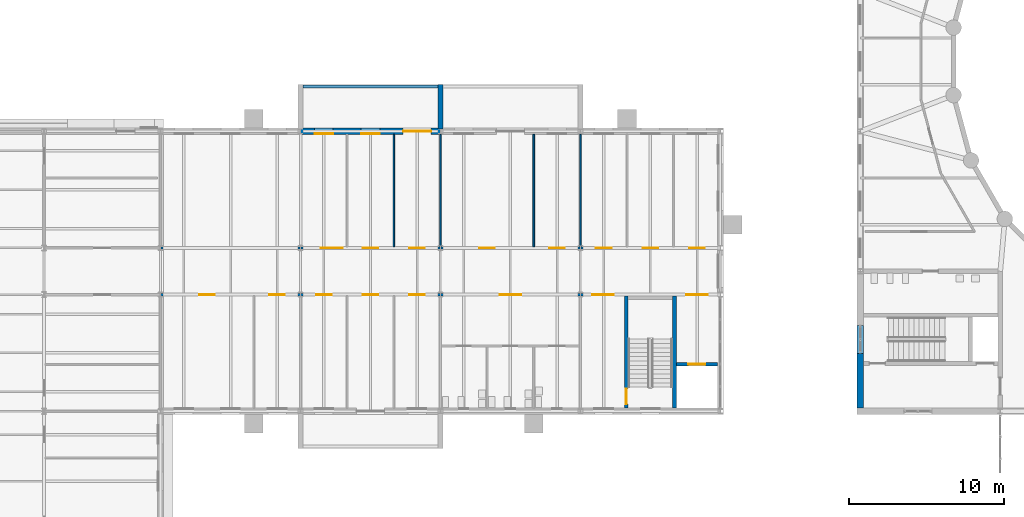
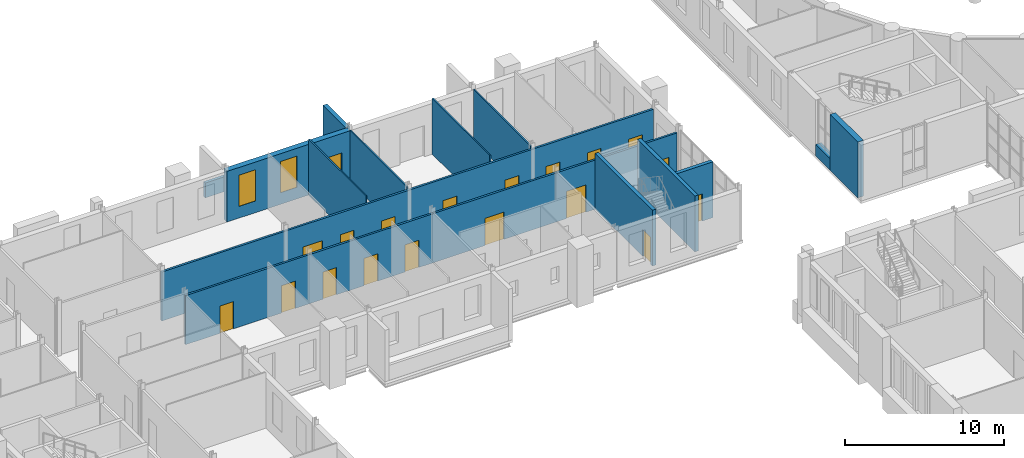
# One storey, part 81 of 134: 19 doors, 14 walls, 2 windows, 21 openings.
"""IFC4 building model written with IfcOpenShell, lengths in metres."""

from ifc_helpers import new_model, si_unit, direction, frame, frame_2d, origin, place, context, subcontext, project, spatial, rectangle, extrude, material, layer, layer_set, type_object, element, fill, save


model = new_model("IFC4")

# Units and contexts
model_context = context("Model", 3, precision=1e-05, world=origin(), true_north=direction((0.0, 1.0)))
body_context = subcontext(model_context, "Body", "Model", "MODEL_VIEW")
ifc_project = project(units=[si_unit("LENGTHUNIT", "METRE"), si_unit("AREAUNIT", "SQUARE_METRE"), si_unit("VOLUMEUNIT", "CUBIC_METRE"), si_unit("PLANEANGLEUNIT", "RADIAN"), si_unit("MASSUNIT", "GRAM", prefix="KILO")], contexts=[model_context])

# Site, building, storey
site_placement = place(None, origin())
site = spatial("IfcSite", under=ifc_project, at=site_placement, CompositionType="ELEMENT")
building_placement = place(site_placement, origin())
building = spatial("IfcBuilding", under=site, at=building_placement, Name="Golden Quay Civic Hall", CompositionType="ELEMENT")
storey_placement = place(building_placement, frame((0.0, 0.0, 5.39990234375)))
storey = spatial("IfcBuildingStorey", under=building, at=storey_placement, Name="L01", CompositionType="ELEMENT", Elevation=5.39990234375)

# Wall
ifc_material_1 = material(Name="Brick, dark clay facing", Category="masonry")
ifc_layer_1 = layer(ifc_material_1, 0.199951171875)
ifc_layer_set_1 = layer_set([ifc_layer_1], Name="Brick balustrade wall 200")
wall_type_1 = type_object("IfcWallType", Name="Brick balustrade wall 200", PredefinedType="STANDARD", material=ifc_layer_set_1)
wall_1_placement = place(storey_placement, frame((27.14990234375, 83.8798828125, 0.0), z_axis=(0.0, 0.0, 1.0), x_axis=(1.0, 0.0, 0.0)))
element("IfcWall", 1, at=wall_1_placement, inside=storey, type_object=wall_type_1, Name="Brick balustrade wall 200 L01 2", PredefinedType="STANDARD", context=body_context, shape_type="SweptSolid", body=[
    extrude(rectangle(XDim=8.7001953125, YDim=0.199951171875, at=frame_2d((4.35009765625, 0.0))), origin(), (0.0, 0.0, 1.0), 1.150146484375),
])

# Wall, openings, door, windows
ifc_material_2 = material(Name="Brick, dark clay facing", Category="masonry")
ifc_layer_2 = layer(ifc_material_2, 0.39990234375)
ifc_layer_set_2 = layer_set([ifc_layer_2], Name="Brick external wall 400")
wall_type_2 = type_object("IfcWallType", Name="Brick external wall 400", PredefinedType="STANDARD", material=ifc_layer_set_2)
wall_2_placement = place(storey_placement, frame((27.00927734375, 81.0, 0.0), z_axis=(0.0, 0.0, 1.0), x_axis=(1.0, 0.0, 0.0)))
wall_2 = element("IfcWall", 2, at=wall_2_placement, inside=storey, type_object=wall_type_2, Name="Brick external wall 400 L01 3", PredefinedType="STANDARD", context=body_context, shape_type="SweptSolid", body=[
    extrude(rectangle(XDim=8.9814453125, YDim=0.39990234375, at=frame_2d((4.49072265625, 0.0))), origin(), (0.0, 0.0, 1.0), 3.900146484375),
])
opening_1_placement = place(wall_2_placement, frame((6.5908203125, 0.0, 0.0)))
opening_1 = element("IfcOpeningElement", 3, at=opening_1_placement, cuts=wall_2, Name="Opening L01-D002", PredefinedType="OPENING", context=body_context, shape_type="SweptSolid", body=[
    extrude(rectangle(XDim=1.800048828125, YDim=2.39990234375, at=frame_2d((0.89990234375, 1.199951171875))), frame((0.0, 0.2099609375, 0.0), z_axis=(0.0, -1.0, 0.0), x_axis=(1.0, 0.0, 0.0)), (0.0, 0.0, 1.0), 0.419921875),
])
opening_2_placement = place(wall_2_placement, frame((0.890869140625, 0.0, 0.89990234375)))
opening_2 = element("IfcOpeningElement", 4, at=opening_2_placement, cuts=wall_2, Name="Opening WN7", PredefinedType="OPENING", context=body_context, shape_type="SweptSolid", body=[
    extrude(rectangle(XDim=1.199951171875, YDim=2.39990234375, at=frame_2d((0.60009765625, 1.199951171875))), frame((0.0, 0.2099609375, 0.0), z_axis=(0.0, -1.0, 0.0), x_axis=(1.0, 0.0, 0.0)), (0.0, 0.0, 1.0), 0.419921875),
])
opening_3_placement = place(wall_2_placement, frame((3.890869140625, 0.0, 0.89990234375)))
opening_3 = element("IfcOpeningElement", 5, at=opening_3_placement, cuts=wall_2, Name="Opening WN7", PredefinedType="OPENING", context=body_context, shape_type="SweptSolid", body=[
    extrude(rectangle(XDim=1.199951171875, YDim=2.39990234375, at=frame_2d((0.60009765625, 1.199951171875))), frame((0.0, 0.2099609375, 0.0), z_axis=(0.0, -1.0, 0.0), x_axis=(1.0, 0.0, 0.0)), (0.0, 0.0, 1.0), 0.419921875),
])
ifc_material_3 = material(Name="Aluminium frame, glazed", Category="aluminium")
door_type_1 = type_object("IfcDoorType", Name="Glazed double terrace door 1800 x 2400", OperationType="DOUBLE_DOOR_SINGLE_SWING", PredefinedType="DOOR", material=ifc_material_3)
door_1_placement = place(opening_1_placement, origin())
door_1 = element("IfcDoor", 6, at=door_1_placement, inside=storey, type_object=door_type_1, Name="Door L01-D002", OperationType="DOUBLE_DOOR_SINGLE_SWING", OverallHeight=2.39990234375, OverallWidth=1.800048828125, PredefinedType="DOOR", context=body_context, shape_type="SweptSolid", body=[
    extrude(rectangle(XDim=1.800048828125, YDim=2.39990234375, at=frame_2d((0.89990234375, 1.199951171875))), frame((0.0, 0.02490234375, 0.0), z_axis=(0.0, -1.0, 0.0), x_axis=(1.0, 0.0, 0.0)), (0.0, 0.0, 1.0), 0.050048828125),
])
fill(opening_1, door_1)
ifc_material_4 = material(Name="Aluminium frame, double glazed", Category="aluminium")
window_type = type_object("IfcWindowType", Name="Window 1200 x 2400", PartitioningType="SINGLE_PANEL", PredefinedType="WINDOW", material=ifc_material_4)
window_1_placement = place(opening_2_placement, origin())
window_1 = element("IfcWindow", 7, at=window_1_placement, inside=storey, type_object=window_type, Name="Window 1200 x 2400 L01 7", OverallHeight=2.39990234375, OverallWidth=1.199951171875, PartitioningType="SINGLE_PANEL", PredefinedType="WINDOW", context=body_context, shape_type="SweptSolid", body=[
    extrude(rectangle(XDim=1.199951171875, YDim=2.39990234375, at=frame_2d((0.60009765625, 1.199951171875))), frame((0.0, -0.119873046875, 0.0), z_axis=(0.0, -1.0, 0.0), x_axis=(1.0, 0.0, 0.0)), (0.0, 0.0, 1.0), 0.06005859375),
])
fill(opening_2, window_1)
window_2_placement = place(opening_3_placement, origin())
window_2 = element("IfcWindow", 8, at=window_2_placement, inside=storey, type_object=window_type, Name="Window 1200 x 2400 L01 8", OverallHeight=2.39990234375, OverallWidth=1.199951171875, PartitioningType="SINGLE_PANEL", PredefinedType="WINDOW", context=body_context, shape_type="SweptSolid", body=[
    extrude(rectangle(XDim=1.199951171875, YDim=2.39990234375, at=frame_2d((0.60009765625, 1.199951171875))), frame((0.0, -0.119873046875, 0.0), z_axis=(0.0, -1.0, 0.0), x_axis=(1.0, 0.0, 0.0)), (0.0, 0.0, 1.0), 0.06005859375),
])
fill(opening_3, window_2)

# Wall
ifc_material_5 = material(Name="Brick, dark clay facing", Category="masonry")
ifc_layer_3 = layer(ifc_material_5, 0.300048828125)
ifc_layer_set_3 = layer_set([ifc_layer_3], Name="Brick loggia wall 300")
wall_type_3 = type_object("IfcWallType", Name="Brick loggia wall 300", PredefinedType="STANDARD", material=ifc_layer_set_3)
wall_3_placement = place(storey_placement, frame((36.0, 81.14501953125, 0.0), z_axis=(0.0, 0.0, 1.0), x_axis=(0.0, 1.0, 0.0)))
element("IfcWall", 9, at=wall_3_placement, inside=storey, type_object=wall_type_3, Name="Brick loggia wall 300 L01 4", PredefinedType="STANDARD", context=body_context, shape_type="SweptSolid", body=[
    extrude(rectangle(XDim=2.85498046875, YDim=0.300048828125, at=frame_2d((1.427490234375, 0.0))), origin(), (0.0, 0.0, 1.0), 3.97021484375),
])

# Wall, opening, door
ifc_material_6 = material(Name="Concrete C40/50", Category="concrete")
ifc_layer_4 = layer(ifc_material_6, 0.25)
ifc_layer_set_4 = layer_set([ifc_layer_4], Name="Concrete core wall 250, Concrete C40/50")
wall_type_4 = type_object("IfcWallType", Name="Concrete core wall 250", PredefinedType="SHEAR", material=ifc_layer_set_4)
wall_4_placement = place(storey_placement, frame((47.949951171875, 63.199951171875, 0.0), z_axis=(0.0, 0.0, 1.0), x_axis=(0.0, 1.0, 0.0)))
wall_4 = element("IfcWall", 10, at=wall_4_placement, inside=storey, type_object=wall_type_4, Name="Core wall NW-E-W1", PredefinedType="SHEAR", context=body_context, shape_type="SweptSolid", body=[
    extrude(rectangle(XDim=7.22509765625, YDim=0.25, at=frame_2d((3.612548828125, 0.0))), origin(), (0.0, 0.0, 1.0), 4.300048828125),
])
opening_4_placement = place(wall_4_placement, frame((0.25, 0.0, 0.0)))
opening_4 = element("IfcOpeningElement", 11, at=opening_4_placement, cuts=wall_4, Name="Opening L01-D087", PredefinedType="OPENING", context=body_context, shape_type="SweptSolid", body=[
    extrude(rectangle(XDim=1.0, YDim=2.10009765625, at=frame_2d((0.5, 1.050048828125))), frame((0.0, 0.135009765625, 0.0), z_axis=(0.0, -1.0, 0.0), x_axis=(1.0, 0.0, 0.0)), (0.0, 0.0, 1.0), 0.27001953125),
])
ifc_material_7 = material(Name="Steel", Category="steel")
door_type_2 = type_object("IfcDoorType", Name="Steel fire door FD60 1000 x 2100", OperationType="SINGLE_SWING_LEFT", PredefinedType="DOOR", material=ifc_material_7)
door_2_placement = place(opening_4_placement, frame((1.0, 0.0, 0.0), z_axis=(0.0, 0.0, 1.0), x_axis=(-1.0, 0.0, 0.0)))
door_2 = element("IfcDoor", 12, at=door_2_placement, inside=storey, type_object=door_type_2, Name="Door L01-D087", OperationType="SINGLE_SWING_RIGHT", OverallHeight=2.10009765625, OverallWidth=1.0, PredefinedType="DOOR", context=body_context, shape_type="SweptSolid", body=[
    extrude(rectangle(XDim=1.0, YDim=2.10009765625, at=frame_2d((0.5, 1.050048828125))), frame((0.0, 0.025146484375, 0.0), z_axis=(0.0, -1.0, 0.0), x_axis=(1.0, 0.0, 0.0)), (0.0, 0.0, 1.0), 0.050048828125),
])
fill(opening_4, door_2)

# Wall
wall_5_placement = place(storey_placement, frame((51.050048828125, 63.199951171875, 0.0), z_axis=(0.0, 0.0, 1.0), x_axis=(0.0, 1.0, 0.0)))
element("IfcWall", 13, at=wall_5_placement, inside=storey, type_object=wall_type_4, Name="Core wall NW-E-W2", PredefinedType="SHEAR", context=body_context, shape_type="SweptSolid", body=[
    extrude(rectangle(XDim=7.22509765625, YDim=0.25, at=frame_2d((3.612548828125, 0.0))), origin(), (0.0, 0.0, 1.0), 4.300048828125),
])

# Wall, opening, door
wall_6_placement = place(storey_placement, frame((51.175048828125, 66.02490234375, 0.0), z_axis=(0.0, 0.0, 1.0), x_axis=(1.0, 0.0, 0.0)))
wall_6 = element("IfcWall", 14, at=wall_6_placement, inside=storey, type_object=wall_type_4, Name="Core wall NW-E-W4", PredefinedType="SHEAR", context=body_context, shape_type="SweptSolid", body=[
    extrude(rectangle(XDim=2.625, YDim=0.25, at=frame_2d((1.3125, 0.0))), origin(), (0.0, 0.0, 1.0), 4.300048828125),
])
opening_5_placement = place(wall_6_placement, frame((0.762451171875, 0.0, 0.0)))
opening_5 = element("IfcOpeningElement", 15, at=opening_5_placement, cuts=wall_6, Name="Opening L01-D090", PredefinedType="OPENING", context=body_context, shape_type="SweptSolid", body=[
    extrude(rectangle(XDim=1.10009765625, YDim=2.10009765625, at=frame_2d((0.550048828125, 1.050048828125))), frame((0.0, 0.135009765625, 0.0), z_axis=(0.0, -1.0, 0.0), x_axis=(1.0, 0.0, 0.0)), (0.0, 0.0, 1.0), 0.27001953125),
])
ifc_material_8 = material(Name="Steel", Category="steel")
door_type_3 = type_object("IfcDoorType", Name="Lift landing door 1100 x 2100", OperationType="SLIDING_TO_LEFT", PredefinedType="DOOR", material=ifc_material_8)
door_3_placement = place(opening_5_placement, origin())
door_3 = element("IfcDoor", 16, at=door_3_placement, inside=storey, type_object=door_type_3, Name="Lift landing door L01-D090 NW-E", OperationType="SLIDING_TO_LEFT", OverallHeight=2.10009765625, OverallWidth=1.10009765625, PredefinedType="DOOR", context=body_context, shape_type="SweptSolid", body=[
    extrude(rectangle(XDim=1.10009765625, YDim=2.10009765625, at=frame_2d((0.550048828125, 1.050048828125))), frame((0.0, 0.02490234375, 0.0), z_axis=(0.0, -1.0, 0.0), x_axis=(1.0, 0.0, 0.0)), (0.0, 0.0, 1.0), 0.050048828125),
])
fill(opening_5, door_3)

# Walls
ifc_material_9 = material(Name="Plasterboard on steel studs", Category="steel")
ifc_layer_5 = layer(ifc_material_9, 0.10009765625)
ifc_layer_set_5 = layer_set([ifc_layer_5], Name="Partition 100 stud")
wall_type_5 = type_object("IfcWallType", Name="Partition 100 stud", PredefinedType="PARTITIONING", material=ifc_layer_set_5)
wall_7_placement = place(storey_placement, frame((33.0, 73.574951171875, 0.0), z_axis=(0.0, 0.0, 1.0), x_axis=(0.0, 1.0, 0.0)))
element("IfcWall", 17, at=wall_7_placement, inside=storey, type_object=wall_type_5, Name="Partition L01-006", PredefinedType="PARTITIONING", context=body_context, shape_type="SweptSolid", body=[
    extrude(rectangle(XDim=7.22509765625, YDim=0.10009765625, at=frame_2d((3.612548828125, 0.0))), origin(), (0.0, 0.0, 1.0), 4.300048828125),
])
wall_8_placement = place(storey_placement, frame((36.0, 73.574951171875, 0.0), z_axis=(0.0, 0.0, 1.0), x_axis=(0.0, 1.0, 0.0)))
element("IfcWall", 18, at=wall_8_placement, inside=storey, type_object=wall_type_5, Name="Partition L01-007", PredefinedType="PARTITIONING", context=body_context, shape_type="SweptSolid", body=[
    extrude(rectangle(XDim=7.22509765625, YDim=0.10009765625, at=frame_2d((3.612548828125, 0.0))), origin(), (0.0, 0.0, 1.0), 3.9501953125),
])
wall_9_placement = place(storey_placement, frame((42.0, 73.574951171875, 0.0), z_axis=(0.0, 0.0, 1.0), x_axis=(0.0, 1.0, 0.0)))
element("IfcWall", 19, at=wall_9_placement, inside=storey, type_object=wall_type_5, Name="Partition L01-008", PredefinedType="PARTITIONING", context=body_context, shape_type="SweptSolid", body=[
    extrude(rectangle(XDim=7.22509765625, YDim=0.10009765625, at=frame_2d((3.612548828125, 0.0))), origin(), (0.0, 0.0, 1.0), 4.300048828125),
])
wall_10_placement = place(storey_placement, frame((45.0, 73.574951171875, 0.0), z_axis=(0.0, 0.0, 1.0), x_axis=(0.0, 1.0, 0.0)))
element("IfcWall", 20, at=wall_10_placement, inside=storey, type_object=wall_type_5, Name="Partition L01-009", PredefinedType="PARTITIONING", context=body_context, shape_type="SweptSolid", body=[
    extrude(rectangle(XDim=7.22509765625, YDim=0.10009765625, at=frame_2d((3.612548828125, 0.0))), origin(), (0.0, 0.0, 1.0), 3.9501953125),
])

# Wall, openings, doors
ifc_material_10 = material(Name="Plasterboard on steel studs", Category="steel")
ifc_layer_6 = layer(ifc_material_10, 0.14990234375)
ifc_layer_set_6 = layer_set([ifc_layer_6], Name="Partition 150 stud fire EI 60")
wall_type_6 = type_object("IfcWallType", Name="Partition 150 stud fire EI 60", PredefinedType="PARTITIONING", material=ifc_layer_set_6)
wall_11_placement = place(storey_placement, frame((18.0, 70.5, 0.0), z_axis=(0.0, 0.0, 1.0), x_axis=(1.0, 0.0, 0.0)))
wall_11 = element("IfcWall", 21, at=wall_11_placement, inside=storey, type_object=wall_type_6, Name="Partition L01-013", PredefinedType="PARTITIONING", context=body_context, shape_type="SweptSolid", body=[
    extrude(rectangle(XDim=35.800048828125, YDim=0.14990234375, at=frame_2d((17.89990234375, 0.0))), origin(), (0.0, 0.0, 1.0), 3.780029296875),
])
opening_6_placement = place(wall_11_placement, frame((2.5, 0.0, 0.0)))
opening_6 = element("IfcOpeningElement", 22, at=opening_6_placement, cuts=wall_11, Name="Opening L01-D070", PredefinedType="OPENING", context=body_context, shape_type="SweptSolid", body=[
    extrude(rectangle(XDim=1.0, YDim=2.10009765625, at=frame_2d((0.5, 1.050048828125))), frame((0.0, 0.0849609375, 0.0), z_axis=(0.0, -1.0, 0.0), x_axis=(1.0, 0.0, 0.0)), (0.0, 0.0, 1.0), 0.169921875),
])
opening_7_placement = place(wall_11_placement, frame((7.0, 0.0, 0.0)))
opening_7 = element("IfcOpeningElement", 23, at=opening_7_placement, cuts=wall_11, Name="Opening L01-D071", PredefinedType="OPENING", context=body_context, shape_type="SweptSolid", body=[
    extrude(rectangle(XDim=1.0, YDim=2.10009765625, at=frame_2d((0.5, 1.050048828125))), frame((0.0, 0.0849609375, 0.0), z_axis=(0.0, -1.0, 0.0), x_axis=(1.0, 0.0, 0.0)), (0.0, 0.0, 1.0), 0.169921875),
])
opening_8_placement = place(wall_11_placement, frame((10.0, 0.0, 0.0)))
opening_8 = element("IfcOpeningElement", 24, at=opening_8_placement, cuts=wall_11, Name="Opening L01-D072", PredefinedType="OPENING", context=body_context, shape_type="SweptSolid", body=[
    extrude(rectangle(XDim=1.0, YDim=2.10009765625, at=frame_2d((0.5, 1.050048828125))), frame((0.0, 0.0849609375, 0.0), z_axis=(0.0, -1.0, 0.0), x_axis=(1.0, 0.0, 0.0)), (0.0, 0.0, 1.0), 0.169921875),
])
opening_9_placement = place(wall_11_placement, frame((13.0, 0.0, 0.0)))
opening_9 = element("IfcOpeningElement", 25, at=opening_9_placement, cuts=wall_11, Name="Opening L01-D073", PredefinedType="OPENING", context=body_context, shape_type="SweptSolid", body=[
    extrude(rectangle(XDim=1.0, YDim=2.10009765625, at=frame_2d((0.5, 1.050048828125))), frame((0.0, 0.0849609375, 0.0), z_axis=(0.0, -1.0, 0.0), x_axis=(1.0, 0.0, 0.0)), (0.0, 0.0, 1.0), 0.169921875),
])
opening_10_placement = place(wall_11_placement, frame((16.0, 0.0, 0.0)))
opening_10 = element("IfcOpeningElement", 26, at=opening_10_placement, cuts=wall_11, Name="Opening L01-D074", PredefinedType="OPENING", context=body_context, shape_type="SweptSolid", body=[
    extrude(rectangle(XDim=1.0, YDim=2.10009765625, at=frame_2d((0.5, 1.050048828125))), frame((0.0, 0.0849609375, 0.0), z_axis=(0.0, -1.0, 0.0), x_axis=(1.0, 0.0, 0.0)), (0.0, 0.0, 1.0), 0.169921875),
])
opening_11_placement = place(wall_11_placement, frame((21.800048828125, 0.0, 0.0)))
opening_11 = element("IfcOpeningElement", 27, at=opening_11_placement, cuts=wall_11, Name="Opening L01-D083", PredefinedType="OPENING", context=body_context, shape_type="SweptSolid", body=[
    extrude(rectangle(XDim=1.39990234375, YDim=2.10009765625, at=frame_2d((0.699951171875, 1.050048828125))), frame((0.0, 0.0849609375, 0.0), z_axis=(0.0, -1.0, 0.0), x_axis=(1.0, 0.0, 0.0)), (0.0, 0.0, 1.0), 0.169921875),
])
opening_12_placement = place(wall_11_placement, frame((27.75, 0.0, 0.0)))
opening_12 = element("IfcOpeningElement", 28, at=opening_12_placement, cuts=wall_11, Name="Opening L01-D088", PredefinedType="OPENING", context=body_context, shape_type="SweptSolid", body=[
    extrude(rectangle(XDim=1.39990234375, YDim=2.10009765625, at=frame_2d((0.699951171875, 1.050048828125))), frame((0.0, 0.0849609375, 0.0), z_axis=(0.0, -1.0, 0.0), x_axis=(1.0, 0.0, 0.0)), (0.0, 0.0, 1.0), 0.169921875),
])
opening_13_placement = place(wall_11_placement, frame((33.800048828125, 0.0, 0.0)))
opening_13 = element("IfcOpeningElement", 29, at=opening_13_placement, cuts=wall_11, Name="Opening L01-D089", PredefinedType="OPENING", context=body_context, shape_type="SweptSolid", body=[
    extrude(rectangle(XDim=1.39990234375, YDim=2.10009765625, at=frame_2d((0.699951171875, 1.050048828125))), frame((0.0, 0.0849609375, 0.0), z_axis=(0.0, -1.0, 0.0), x_axis=(1.0, 0.0, 0.0)), (0.0, 0.0, 1.0), 0.169921875),
])
ifc_material_11 = material(Name="Steel", Category="steel")
door_type_4 = type_object("IfcDoorType", Name="Steel double fire door FD30S 1400 x 2100", OperationType="DOUBLE_DOOR_SINGLE_SWING", PredefinedType="DOOR", material=ifc_material_11)
door_4_placement = place(opening_11_placement, frame((1.39990234375, 0.0, 0.0), z_axis=(0.0, 0.0, 1.0), x_axis=(-1.0, 0.0, 0.0)))
door_4 = element("IfcDoor", 30, at=door_4_placement, inside=storey, type_object=door_type_4, Name="Door L01-D083", OperationType="DOUBLE_DOOR_SINGLE_SWING", OverallHeight=2.10009765625, OverallWidth=1.39990234375, PredefinedType="DOOR", context=body_context, shape_type="SweptSolid", body=[
    extrude(rectangle(XDim=1.39990234375, YDim=2.10009765625, at=frame_2d((0.699951171875, 1.050048828125))), frame((0.0, 0.025146484375, 0.0), z_axis=(0.0, -1.0, 0.0), x_axis=(1.0, 0.0, 0.0)), (0.0, 0.0, 1.0), 0.050048828125),
])
fill(opening_11, door_4)
door_5_placement = place(opening_12_placement, origin())
door_5 = element("IfcDoor", 31, at=door_5_placement, inside=storey, type_object=door_type_4, Name="Door L01-D088", OperationType="DOUBLE_DOOR_SINGLE_SWING", OverallHeight=2.10009765625, OverallWidth=1.39990234375, PredefinedType="DOOR", context=body_context, shape_type="SweptSolid", body=[
    extrude(rectangle(XDim=1.39990234375, YDim=2.10009765625, at=frame_2d((0.699951171875, 1.050048828125))), frame((0.0, 0.02490234375, 0.0), z_axis=(0.0, -1.0, 0.0), x_axis=(1.0, 0.0, 0.0)), (0.0, 0.0, 1.0), 0.050048828125),
])
fill(opening_12, door_5)
door_6_placement = place(opening_13_placement, origin())
door_6 = element("IfcDoor", 32, at=door_6_placement, inside=storey, type_object=door_type_4, Name="Door L01-D089", OperationType="DOUBLE_DOOR_SINGLE_SWING", OverallHeight=2.10009765625, OverallWidth=1.39990234375, PredefinedType="DOOR", context=body_context, shape_type="SweptSolid", body=[
    extrude(rectangle(XDim=1.39990234375, YDim=2.10009765625, at=frame_2d((0.699951171875, 1.050048828125))), frame((0.0, 0.02490234375, 0.0), z_axis=(0.0, -1.0, 0.0), x_axis=(1.0, 0.0, 0.0)), (0.0, 0.0, 1.0), 0.050048828125),
])
fill(opening_13, door_6)
ifc_material_12 = material(Name="Steel", Category="steel")
door_type_5 = type_object("IfcDoorType", Name="Steel fire door FD30S 1000 x 2100", OperationType="SINGLE_SWING_LEFT", PredefinedType="DOOR", material=ifc_material_12)
door_7_placement = place(opening_6_placement, frame((1.0, 0.0, 0.0), z_axis=(0.0, 0.0, 1.0), x_axis=(-1.0, 0.0, 0.0)))
door_7 = element("IfcDoor", 33, at=door_7_placement, inside=storey, type_object=door_type_5, Name="Door L01-D070", OperationType="SINGLE_SWING_RIGHT", OverallHeight=2.10009765625, OverallWidth=1.0, PredefinedType="DOOR", context=body_context, shape_type="SweptSolid", body=[
    extrude(rectangle(XDim=1.0, YDim=2.10009765625, at=frame_2d((0.5, 1.050048828125))), frame((0.0, 0.025146484375, 0.0), z_axis=(0.0, -1.0, 0.0), x_axis=(1.0, 0.0, 0.0)), (0.0, 0.0, 1.0), 0.050048828125),
])
fill(opening_6, door_7)
door_8_placement = place(opening_7_placement, frame((1.0, 0.0, 0.0), z_axis=(0.0, 0.0, 1.0), x_axis=(-1.0, 0.0, 0.0)))
door_8 = element("IfcDoor", 34, at=door_8_placement, inside=storey, type_object=door_type_5, Name="Door L01-D071", OperationType="SINGLE_SWING_RIGHT", OverallHeight=2.10009765625, OverallWidth=1.0, PredefinedType="DOOR", context=body_context, shape_type="SweptSolid", body=[
    extrude(rectangle(XDim=1.0, YDim=2.10009765625, at=frame_2d((0.5, 1.050048828125))), frame((0.0, 0.025146484375, 0.0), z_axis=(0.0, -1.0, 0.0), x_axis=(1.0, 0.0, 0.0)), (0.0, 0.0, 1.0), 0.050048828125),
])
fill(opening_7, door_8)
door_9_placement = place(opening_8_placement, frame((1.0, 0.0, 0.0), z_axis=(0.0, 0.0, 1.0), x_axis=(-1.0, 0.0, 0.0)))
door_9 = element("IfcDoor", 35, at=door_9_placement, inside=storey, type_object=door_type_5, Name="Door L01-D072", OperationType="SINGLE_SWING_RIGHT", OverallHeight=2.10009765625, OverallWidth=1.0, PredefinedType="DOOR", context=body_context, shape_type="SweptSolid", body=[
    extrude(rectangle(XDim=1.0, YDim=2.10009765625, at=frame_2d((0.5, 1.050048828125))), frame((0.0, 0.025146484375, 0.0), z_axis=(0.0, -1.0, 0.0), x_axis=(1.0, 0.0, 0.0)), (0.0, 0.0, 1.0), 0.050048828125),
])
fill(opening_8, door_9)
door_10_placement = place(opening_9_placement, frame((1.0, 0.0, 0.0), z_axis=(0.0, 0.0, 1.0), x_axis=(-1.0, 0.0, 0.0)))
door_10 = element("IfcDoor", 36, at=door_10_placement, inside=storey, type_object=door_type_5, Name="Door L01-D073", OperationType="SINGLE_SWING_RIGHT", OverallHeight=2.10009765625, OverallWidth=1.0, PredefinedType="DOOR", context=body_context, shape_type="SweptSolid", body=[
    extrude(rectangle(XDim=1.0, YDim=2.10009765625, at=frame_2d((0.5, 1.050048828125))), frame((0.0, 0.025146484375, 0.0), z_axis=(0.0, -1.0, 0.0), x_axis=(1.0, 0.0, 0.0)), (0.0, 0.0, 1.0), 0.050048828125),
])
fill(opening_9, door_10)
door_11_placement = place(opening_10_placement, frame((1.0, 0.0, 0.0), z_axis=(0.0, 0.0, 1.0), x_axis=(-1.0, 0.0, 0.0)))
door_11 = element("IfcDoor", 37, at=door_11_placement, inside=storey, type_object=door_type_5, Name="Door L01-D074", OperationType="SINGLE_SWING_RIGHT", OverallHeight=2.10009765625, OverallWidth=1.0, PredefinedType="DOOR", context=body_context, shape_type="SweptSolid", body=[
    extrude(rectangle(XDim=1.0, YDim=2.10009765625, at=frame_2d((0.5, 1.050048828125))), frame((0.0, 0.025146484375, 0.0), z_axis=(0.0, -1.0, 0.0), x_axis=(1.0, 0.0, 0.0)), (0.0, 0.0, 1.0), 0.050048828125),
])
fill(opening_10, door_11)

wall_12_placement = place(storey_placement, frame((18.0, 73.5, 0.0), z_axis=(0.0, 0.0, 1.0), x_axis=(1.0, 0.0, 0.0)))
wall_12 = element("IfcWall", 38, at=wall_12_placement, inside=storey, type_object=wall_type_6, Name="Partition L01-014", PredefinedType="PARTITIONING", context=body_context, shape_type="SweptSolid", body=[
    extrude(rectangle(XDim=35.800048828125, YDim=0.14990234375, at=frame_2d((17.89990234375, 0.0))), origin(), (0.0, 0.0, 1.0), 3.780029296875),
])
opening_14_placement = place(wall_12_placement, frame((10.300048828125, 0.0, 0.0)))
opening_14 = element("IfcOpeningElement", 39, at=opening_14_placement, cuts=wall_12, Name="Opening L01-D075", PredefinedType="OPENING", context=body_context, shape_type="SweptSolid", body=[
    extrude(rectangle(XDim=1.39990234375, YDim=2.10009765625, at=frame_2d((0.699951171875, 1.050048828125))), frame((0.0, 0.0849609375, 0.0), z_axis=(0.0, -1.0, 0.0), x_axis=(1.0, 0.0, 0.0)), (0.0, 0.0, 1.0), 0.169921875),
])
opening_15_placement = place(wall_12_placement, frame((13.0, 0.0, 0.0)))
opening_15 = element("IfcOpeningElement", 40, at=opening_15_placement, cuts=wall_12, Name="Opening L01-D076", PredefinedType="OPENING", context=body_context, shape_type="SweptSolid", body=[
    extrude(rectangle(XDim=1.0, YDim=2.10009765625, at=frame_2d((0.5, 1.050048828125))), frame((0.0, 0.0849609375, 0.0), z_axis=(0.0, -1.0, 0.0), x_axis=(1.0, 0.0, 0.0)), (0.0, 0.0, 1.0), 0.169921875),
])
opening_16_placement = place(wall_12_placement, frame((16.0, 0.0, 0.0)))
opening_16 = element("IfcOpeningElement", 41, at=opening_16_placement, cuts=wall_12, Name="Opening L01-D077", PredefinedType="OPENING", context=body_context, shape_type="SweptSolid", body=[
    extrude(rectangle(XDim=1.0, YDim=2.10009765625, at=frame_2d((0.5, 1.050048828125))), frame((0.0, 0.0849609375, 0.0), z_axis=(0.0, -1.0, 0.0), x_axis=(1.0, 0.0, 0.0)), (0.0, 0.0, 1.0), 0.169921875),
])
opening_17_placement = place(wall_12_placement, frame((20.5, 0.0, 0.0)))
opening_17 = element("IfcOpeningElement", 42, at=opening_17_placement, cuts=wall_12, Name="Opening L01-D078", PredefinedType="OPENING", context=body_context, shape_type="SweptSolid", body=[
    extrude(rectangle(XDim=1.0, YDim=2.10009765625, at=frame_2d((0.5, 1.050048828125))), frame((0.0, 0.0849609375, 0.0), z_axis=(0.0, -1.0, 0.0), x_axis=(1.0, 0.0, 0.0)), (0.0, 0.0, 1.0), 0.169921875),
])
opening_18_placement = place(wall_12_placement, frame((25.0, 0.0, 0.0)))
opening_18 = element("IfcOpeningElement", 43, at=opening_18_placement, cuts=wall_12, Name="Opening L01-D079", PredefinedType="OPENING", context=body_context, shape_type="SweptSolid", body=[
    extrude(rectangle(XDim=1.0, YDim=2.10009765625, at=frame_2d((0.5, 1.050048828125))), frame((0.0, 0.0849609375, 0.0), z_axis=(0.0, -1.0, 0.0), x_axis=(1.0, 0.0, 0.0)), (0.0, 0.0, 1.0), 0.169921875),
])
opening_19_placement = place(wall_12_placement, frame((28.0, 0.0, 0.0)))
opening_19 = element("IfcOpeningElement", 44, at=opening_19_placement, cuts=wall_12, Name="Opening L01-D080", PredefinedType="OPENING", context=body_context, shape_type="SweptSolid", body=[
    extrude(rectangle(XDim=1.0, YDim=2.10009765625, at=frame_2d((0.5, 1.050048828125))), frame((0.0, 0.0849609375, 0.0), z_axis=(0.0, -1.0, 0.0), x_axis=(1.0, 0.0, 0.0)), (0.0, 0.0, 1.0), 0.169921875),
])
opening_20_placement = place(wall_12_placement, frame((31.0, 0.0, 0.0)))
opening_20 = element("IfcOpeningElement", 45, at=opening_20_placement, cuts=wall_12, Name="Opening L01-D081", PredefinedType="OPENING", context=body_context, shape_type="SweptSolid", body=[
    extrude(rectangle(XDim=1.0, YDim=2.10009765625, at=frame_2d((0.5, 1.050048828125))), frame((0.0, 0.0849609375, 0.0), z_axis=(0.0, -1.0, 0.0), x_axis=(1.0, 0.0, 0.0)), (0.0, 0.0, 1.0), 0.169921875),
])
opening_21_placement = place(wall_12_placement, frame((34.0, 0.0, 0.0)))
opening_21 = element("IfcOpeningElement", 46, at=opening_21_placement, cuts=wall_12, Name="Opening L01-D082", PredefinedType="OPENING", context=body_context, shape_type="SweptSolid", body=[
    extrude(rectangle(XDim=1.0, YDim=2.10009765625, at=frame_2d((0.5, 1.050048828125))), frame((0.0, 0.0849609375, 0.0), z_axis=(0.0, -1.0, 0.0), x_axis=(1.0, 0.0, 0.0)), (0.0, 0.0, 1.0), 0.169921875),
])
door_12_placement = place(opening_14_placement, origin())
door_12 = element("IfcDoor", 47, at=door_12_placement, inside=storey, type_object=door_type_4, Name="Door L01-D075", OperationType="DOUBLE_DOOR_SINGLE_SWING", OverallHeight=2.10009765625, OverallWidth=1.39990234375, PredefinedType="DOOR", context=body_context, shape_type="SweptSolid", body=[
    extrude(rectangle(XDim=1.39990234375, YDim=2.10009765625, at=frame_2d((0.699951171875, 1.050048828125))), frame((0.0, 0.02490234375, 0.0), z_axis=(0.0, -1.0, 0.0), x_axis=(1.0, 0.0, 0.0)), (0.0, 0.0, 1.0), 0.050048828125),
])
fill(opening_14, door_12)
door_13_placement = place(opening_15_placement, origin())
door_13 = element("IfcDoor", 48, at=door_13_placement, inside=storey, type_object=door_type_5, Name="Door L01-D076", OperationType="SINGLE_SWING_LEFT", OverallHeight=2.10009765625, OverallWidth=1.0, PredefinedType="DOOR", context=body_context, shape_type="SweptSolid", body=[
    extrude(rectangle(XDim=1.0, YDim=2.10009765625, at=frame_2d((0.5, 1.050048828125))), frame((0.0, 0.02490234375, 0.0), z_axis=(0.0, -1.0, 0.0), x_axis=(1.0, 0.0, 0.0)), (0.0, 0.0, 1.0), 0.050048828125),
])
fill(opening_15, door_13)
door_14_placement = place(opening_16_placement, origin())
door_14 = element("IfcDoor", 49, at=door_14_placement, inside=storey, type_object=door_type_5, Name="Door L01-D077", OperationType="SINGLE_SWING_LEFT", OverallHeight=2.10009765625, OverallWidth=1.0, PredefinedType="DOOR", context=body_context, shape_type="SweptSolid", body=[
    extrude(rectangle(XDim=1.0, YDim=2.10009765625, at=frame_2d((0.5, 1.050048828125))), frame((0.0, 0.02490234375, 0.0), z_axis=(0.0, -1.0, 0.0), x_axis=(1.0, 0.0, 0.0)), (0.0, 0.0, 1.0), 0.050048828125),
])
fill(opening_16, door_14)
door_15_placement = place(opening_17_placement, origin())
door_15 = element("IfcDoor", 50, at=door_15_placement, inside=storey, type_object=door_type_5, Name="Door L01-D078", OperationType="SINGLE_SWING_LEFT", OverallHeight=2.10009765625, OverallWidth=1.0, PredefinedType="DOOR", context=body_context, shape_type="SweptSolid", body=[
    extrude(rectangle(XDim=1.0, YDim=2.10009765625, at=frame_2d((0.5, 1.050048828125))), frame((0.0, 0.02490234375, 0.0), z_axis=(0.0, -1.0, 0.0), x_axis=(1.0, 0.0, 0.0)), (0.0, 0.0, 1.0), 0.050048828125),
])
fill(opening_17, door_15)
door_16_placement = place(opening_18_placement, origin())
door_16 = element("IfcDoor", 51, at=door_16_placement, inside=storey, type_object=door_type_5, Name="Door L01-D079", OperationType="SINGLE_SWING_LEFT", OverallHeight=2.10009765625, OverallWidth=1.0, PredefinedType="DOOR", context=body_context, shape_type="SweptSolid", body=[
    extrude(rectangle(XDim=1.0, YDim=2.10009765625, at=frame_2d((0.5, 1.050048828125))), frame((0.0, 0.02490234375, 0.0), z_axis=(0.0, -1.0, 0.0), x_axis=(1.0, 0.0, 0.0)), (0.0, 0.0, 1.0), 0.050048828125),
])
fill(opening_18, door_16)
door_17_placement = place(opening_19_placement, origin())
door_17 = element("IfcDoor", 52, at=door_17_placement, inside=storey, type_object=door_type_5, Name="Door L01-D080", OperationType="SINGLE_SWING_LEFT", OverallHeight=2.10009765625, OverallWidth=1.0, PredefinedType="DOOR", context=body_context, shape_type="SweptSolid", body=[
    extrude(rectangle(XDim=1.0, YDim=2.10009765625, at=frame_2d((0.5, 1.050048828125))), frame((0.0, 0.02490234375, 0.0), z_axis=(0.0, -1.0, 0.0), x_axis=(1.0, 0.0, 0.0)), (0.0, 0.0, 1.0), 0.050048828125),
])
fill(opening_19, door_17)
door_18_placement = place(opening_20_placement, origin())
door_18 = element("IfcDoor", 53, at=door_18_placement, inside=storey, type_object=door_type_5, Name="Door L01-D081", OperationType="SINGLE_SWING_LEFT", OverallHeight=2.10009765625, OverallWidth=1.0, PredefinedType="DOOR", context=body_context, shape_type="SweptSolid", body=[
    extrude(rectangle(XDim=1.0, YDim=2.10009765625, at=frame_2d((0.5, 1.050048828125))), frame((0.0, 0.02490234375, 0.0), z_axis=(0.0, -1.0, 0.0), x_axis=(1.0, 0.0, 0.0)), (0.0, 0.0, 1.0), 0.050048828125),
])
fill(opening_20, door_18)
door_19_placement = place(opening_21_placement, origin())
door_19 = element("IfcDoor", 54, at=door_19_placement, inside=storey, type_object=door_type_5, Name="Door L01-D082", OperationType="SINGLE_SWING_LEFT", OverallHeight=2.10009765625, OverallWidth=1.0, PredefinedType="DOOR", context=body_context, shape_type="SweptSolid", body=[
    extrude(rectangle(XDim=1.0, YDim=2.10009765625, at=frame_2d((0.5, 1.050048828125))), frame((0.0, 0.02490234375, 0.0), z_axis=(0.0, -1.0, 0.0), x_axis=(1.0, 0.0, 0.0)), (0.0, 0.0, 1.0), 0.050048828125),
])
fill(opening_21, door_19)

# Walls
ifc_material_13 = material(Name="Brick masonry with render", Category="masonry")
ifc_layer_7 = layer(ifc_material_13, 0.39990234375)
ifc_layer_set_7 = layer_set([ifc_layer_7], Name="Rendered brick external wall 400 fire EI 120")
wall_type_7 = type_object("IfcWallType", Name="Rendered brick external wall 400 fire EI 120", PredefinedType="STANDARD", material=ifc_layer_set_7)
wall_13_placement = place(storey_placement, frame((63.0, 63.199951171875, 0.0), z_axis=(0.0, 0.0, 1.0), x_axis=(0.0, 1.0, 0.0)))
element("IfcWall", 55, at=wall_13_placement, inside=storey, type_object=wall_type_7, Name="Base wall W 63", PredefinedType="STANDARD", context=body_context, shape_type="SweptSolid", body=[
    extrude(rectangle(XDim=3.525146484375, YDim=0.39990234375, at=frame_2d((1.7626953125, 0.0))), origin(), (0.0, 0.0, 1.0), 4.300048828125),
])
wall_14_placement = place(storey_placement, frame((63.0, 66.72509765625, 0.0), z_axis=(0.0, 0.0, 1.0), x_axis=(0.0, 1.0, 0.0)))
element("IfcWall", 56, at=wall_14_placement, inside=storey, type_object=wall_type_7, Name="Base wall W 63 sill", PredefinedType="STANDARD", context=body_context, shape_type="SweptSolid", body=[
    extrude(rectangle(XDim=1.7998046875, YDim=0.39990234375, at=frame_2d((0.89990234375, 0.0))), origin(), (0.0, 0.0, 1.0), 0.900146484375),
])

save(model, "model.ifc")
